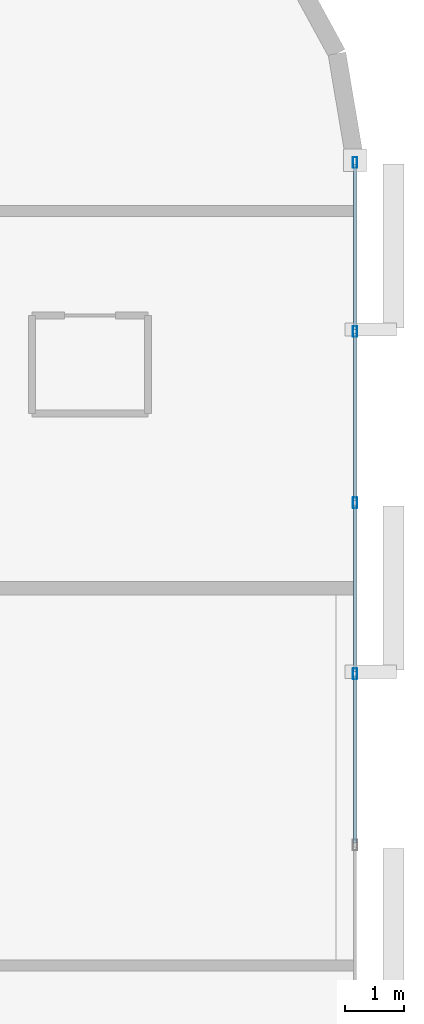
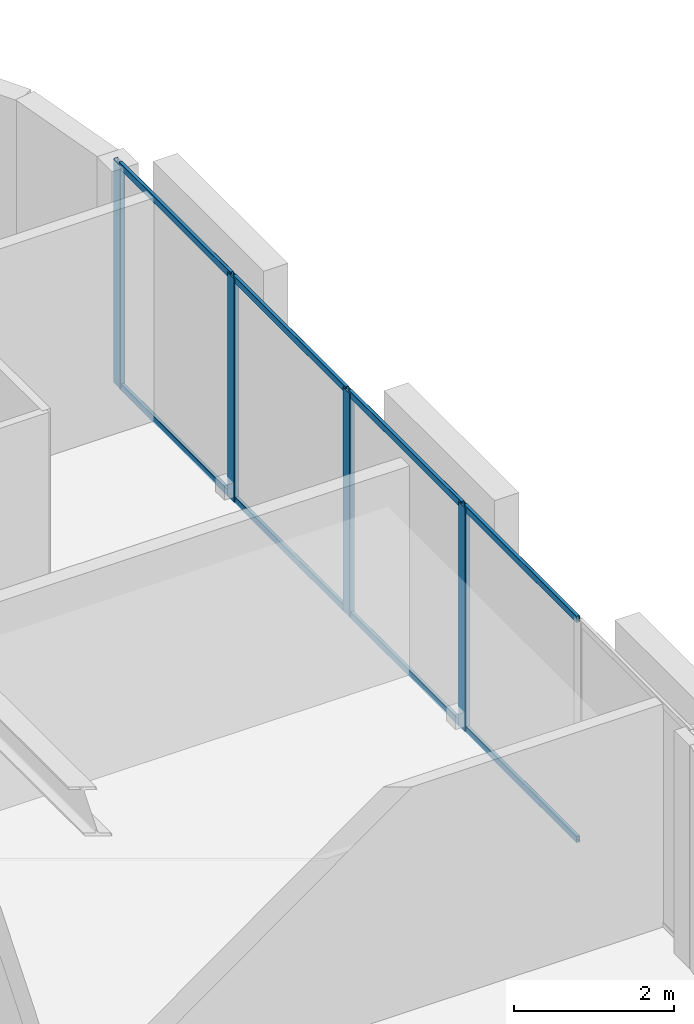
# One storey, part 6 of 15: 12 members, 1 element without a shape of its own.
"""IFC4 building model written with IfcOpenShell, lengths in metres."""

from ifc_helpers import new_model, si_unit, direction, frame, origin, origin_2d, place, context, subcontext, project, spatial, hollow_rectangle, extrude, material, layer, layer_set, material_profile, profile_set, type_object, element, aggregate, save


model = new_model("IFC4")

# Units and contexts
model_context = context("Model", 3, precision=1e-05, world=origin(), true_north=direction((0.0, 1.0)))
body_context = subcontext(model_context, "Body", "Model", "MODEL_VIEW")
ifc_project = project(units=[si_unit("LENGTHUNIT", "METRE"), si_unit("AREAUNIT", "SQUARE_METRE"), si_unit("VOLUMEUNIT", "CUBIC_METRE"), si_unit("PLANEANGLEUNIT", "RADIAN"), si_unit("MASSUNIT", "GRAM", prefix="KILO")], contexts=[model_context])

# Site, building, storey
site_placement = place(None, origin())
site = spatial("IfcSite", under=ifc_project, at=site_placement, CompositionType="ELEMENT")
building_placement = place(site_placement, origin())
building = spatial("IfcBuilding", under=site, at=building_placement, Name="An Khanh Terracotta Commons", CompositionType="ELEMENT")
storey_placement = place(building_placement, frame((0.0, 0.0, 147.39990234375)))
storey = spatial("IfcBuildingStorey", under=building, at=storey_placement, Name="L38", CompositionType="ELEMENT", Elevation=147.39990234375)

# Curtain wall, members
ifc_material = material(Name="Anodised Aluminium 6063-T6", Category="aluminium")
ifc_layer = layer(ifc_material, 0.2099609375, Name="Anodised Aluminium 6063-T6")
ifc_layer_set = layer_set([ifc_layer], Name="Anodised Aluminium 6063-T6")
curtain_wall_type = type_object("IfcCurtainWallType", Name="CW-SYS-03", PredefinedType="USERDEFINED", material=ifc_layer_set)
curtain_wall_placement = place(storey_placement, origin())
curtain_wall = element("IfcCurtainWall", 1, at=curtain_wall_placement, inside=storey, type_object=curtain_wall_type, Name="L38 CW-03 Unitised Curtain Wall CW-L38-12", ObjectType="UNITISED CURTAIN WALL", PredefinedType="USERDEFINED")
ifc_material_profile_1 = material_profile(ifc_material, hollow_rectangle(XDim=0.070068359375, YDim=0.179931640625, WallThickness=0.00390625, InnerFilletRadius=0.00390625, OuterFilletRadius=0.008056640625, at=origin_2d()), Name="RHS180x70x4")
ifc_profile_set_1 = profile_set([ifc_material_profile_1], Name="Anodised Aluminium 6063-T6")
member_type_1 = type_object("IfcMemberType", Name="CWM-RHS180x70x4", PredefinedType="MULLION", material=ifc_profile_set_1)
member_1_placement = place(storey_placement, frame((63.0, 22.56005859375, 0.0), z_axis=(0.0, 0.0, 1.0), x_axis=(-1.0, 0.0, 0.0)))
member_1 = element("IfcMember", 2, at=member_1_placement, type_object=member_type_1, Name="CW-03 mullion 3", PredefinedType="MULLION", context=body_context, shape_type="SweptSolid", body=[
    extrude(hollow_rectangle(XDim=0.070068359375, YDim=0.179931640625, WallThickness=0.00390625, InnerFilletRadius=0.00390625, OuterFilletRadius=0.008056640625, at=origin_2d()), origin(), (0.0, 0.0, 1.0), 3.400146484375),
])
member_2_placement = place(storey_placement, frame((63.0, 25.43994140625, 0.0), z_axis=(0.0, 0.0, 1.0), x_axis=(-1.0, 0.0, 0.0)))
member_2 = element("IfcMember", 3, at=member_2_placement, type_object=member_type_1, Name="CW-03 mullion 4", PredefinedType="MULLION", context=body_context, shape_type="SweptSolid", body=[
    extrude(hollow_rectangle(XDim=0.070068359375, YDim=0.179931640625, WallThickness=0.00390625, InnerFilletRadius=0.00390625, OuterFilletRadius=0.008056640625, at=origin_2d()), origin(), (0.0, 0.0, 1.0), 3.400146484375),
])
member_3_placement = place(storey_placement, frame((63.0, 28.320068359375, 0.0), z_axis=(0.0, 0.0, 1.0), x_axis=(-1.0, 0.0, 0.0)))
member_3 = element("IfcMember", 4, at=member_3_placement, type_object=member_type_1, Name="CW-03 mullion 5", PredefinedType="MULLION", context=body_context, shape_type="SweptSolid", body=[
    extrude(hollow_rectangle(XDim=0.070068359375, YDim=0.179931640625, WallThickness=0.00390625, InnerFilletRadius=0.00390625, OuterFilletRadius=0.008056640625, at=origin_2d()), origin(), (0.0, 0.0, 1.0), 3.400146484375),
])
member_4_placement = place(storey_placement, frame((63.0, 31.1650390625, 0.0), z_axis=(0.0, 0.0, 1.0), x_axis=(-1.0, 0.0, 0.0)))
member_4 = element("IfcMember", 5, at=member_4_placement, type_object=member_type_1, Name="CW-03 mullion 6", PredefinedType="MULLION", context=body_context, shape_type="SweptSolid", body=[
    extrude(hollow_rectangle(XDim=0.070068359375, YDim=0.179931640625, WallThickness=0.00390625, InnerFilletRadius=0.00390625, OuterFilletRadius=0.008056640625, at=origin_2d()), origin(), (0.0, 0.0, 1.0), 3.400146484375),
])
ifc_material_profile_2 = material_profile(ifc_material, hollow_rectangle(XDim=0.050048828125, YDim=0.10009765625, WallThickness=0.003173828125, InnerFilletRadius=0.003173828125, OuterFilletRadius=0.00634765625, at=origin_2d()), Name="RHS100x50x3.2")
ifc_profile_set_2 = profile_set([ifc_material_profile_2], Name="Anodised Aluminium 6063-T6")
member_type_2 = type_object("IfcMemberType", Name="CWT-RHS100x50x3.2", PredefinedType="USERDEFINED", material=ifc_profile_set_2)
member_5_placement = place(storey_placement, frame((63.0, 19.715087890625, 0.025146484375), z_axis=(0.0, 1.0, 0.0), x_axis=(-1.0, 0.0, 0.0)))
member_5 = element("IfcMember", 6, at=member_5_placement, type_object=member_type_2, Name="CW-03 transom 2.1", ObjectType="TRANSOM", PredefinedType="USERDEFINED", context=body_context, shape_type="SweptSolid", body=[
    extrude(hollow_rectangle(XDim=0.050048828125, YDim=0.10009765625, WallThickness=0.003173828125, InnerFilletRadius=0.003173828125, OuterFilletRadius=0.00634765625, at=origin_2d()), origin(), (0.0, 0.0, 1.0), 2.809814453125),
])
member_6_placement = place(storey_placement, frame((63.0, 19.715087890625, 3.375), z_axis=(0.0, 1.0, 0.0), x_axis=(-1.0, 0.0, 0.0)))
member_6 = element("IfcMember", 7, at=member_6_placement, type_object=member_type_2, Name="CW-03 transom 2.2", ObjectType="TRANSOM", PredefinedType="USERDEFINED", context=body_context, shape_type="SweptSolid", body=[
    extrude(hollow_rectangle(XDim=0.050048828125, YDim=0.10009765625, WallThickness=0.003173828125, InnerFilletRadius=0.003173828125, OuterFilletRadius=0.00634765625, at=origin_2d()), origin(), (0.0, 0.0, 1.0), 2.809814453125),
])
member_7_placement = place(storey_placement, frame((63.0, 22.594970703125, 0.025146484375), z_axis=(0.0, 1.0, 0.0), x_axis=(-1.0, 0.0, 0.0)))
member_7 = element("IfcMember", 8, at=member_7_placement, type_object=member_type_2, Name="CW-03 transom 3.1", ObjectType="TRANSOM", PredefinedType="USERDEFINED", context=body_context, shape_type="SweptSolid", body=[
    extrude(hollow_rectangle(XDim=0.050048828125, YDim=0.10009765625, WallThickness=0.003173828125, InnerFilletRadius=0.003173828125, OuterFilletRadius=0.00634765625, at=origin_2d()), origin(), (0.0, 0.0, 1.0), 2.81005859375),
])
member_8_placement = place(storey_placement, frame((63.0, 22.594970703125, 3.375), z_axis=(0.0, 1.0, 0.0), x_axis=(-1.0, 0.0, 0.0)))
member_8 = element("IfcMember", 9, at=member_8_placement, type_object=member_type_2, Name="CW-03 transom 3.2", ObjectType="TRANSOM", PredefinedType="USERDEFINED", context=body_context, shape_type="SweptSolid", body=[
    extrude(hollow_rectangle(XDim=0.050048828125, YDim=0.10009765625, WallThickness=0.003173828125, InnerFilletRadius=0.003173828125, OuterFilletRadius=0.00634765625, at=origin_2d()), origin(), (0.0, 0.0, 1.0), 2.81005859375),
])
member_9_placement = place(storey_placement, frame((63.0, 25.47509765625, 0.025146484375), z_axis=(0.0, 1.0, 0.0), x_axis=(-1.0, 0.0, 0.0)))
member_9 = element("IfcMember", 10, at=member_9_placement, type_object=member_type_2, Name="CW-03 transom 4.1", ObjectType="TRANSOM", PredefinedType="USERDEFINED", context=body_context, shape_type="SweptSolid", body=[
    extrude(hollow_rectangle(XDim=0.050048828125, YDim=0.10009765625, WallThickness=0.003173828125, InnerFilletRadius=0.003173828125, OuterFilletRadius=0.00634765625, at=origin_2d()), origin(), (0.0, 0.0, 1.0), 2.809814453125),
])
member_10_placement = place(storey_placement, frame((63.0, 25.47509765625, 3.375), z_axis=(0.0, 1.0, 0.0), x_axis=(-1.0, 0.0, 0.0)))
member_10 = element("IfcMember", 11, at=member_10_placement, type_object=member_type_2, Name="CW-03 transom 4.2", ObjectType="TRANSOM", PredefinedType="USERDEFINED", context=body_context, shape_type="SweptSolid", body=[
    extrude(hollow_rectangle(XDim=0.050048828125, YDim=0.10009765625, WallThickness=0.003173828125, InnerFilletRadius=0.003173828125, OuterFilletRadius=0.00634765625, at=origin_2d()), origin(), (0.0, 0.0, 1.0), 2.809814453125),
])
member_11_placement = place(storey_placement, frame((63.0, 28.35498046875, 0.025146484375), z_axis=(0.0, 1.0, 0.0), x_axis=(-1.0, 0.0, 0.0)))
member_11 = element("IfcMember", 12, at=member_11_placement, type_object=member_type_2, Name="CW-03 transom 5.1", ObjectType="TRANSOM", PredefinedType="USERDEFINED", context=body_context, shape_type="SweptSolid", body=[
    extrude(hollow_rectangle(XDim=0.050048828125, YDim=0.10009765625, WallThickness=0.003173828125, InnerFilletRadius=0.003173828125, OuterFilletRadius=0.00634765625, at=origin_2d()), origin(), (0.0, 0.0, 1.0), 2.77490234375),
])
member_12_placement = place(storey_placement, frame((63.0, 28.35498046875, 3.375), z_axis=(0.0, 1.0, 0.0), x_axis=(-1.0, 0.0, 0.0)))
member_12 = element("IfcMember", 13, at=member_12_placement, type_object=member_type_2, Name="CW-03 transom 5.2", ObjectType="TRANSOM", PredefinedType="USERDEFINED", context=body_context, shape_type="SweptSolid", body=[
    extrude(hollow_rectangle(XDim=0.050048828125, YDim=0.10009765625, WallThickness=0.003173828125, InnerFilletRadius=0.003173828125, OuterFilletRadius=0.00634765625, at=origin_2d()), origin(), (0.0, 0.0, 1.0), 2.77490234375),
])
aggregate(curtain_wall, [member_1, member_2, member_3, member_4, member_5, member_6, member_7, member_8, member_9, member_10, member_11, member_12])

save(model, "model.ifc")
